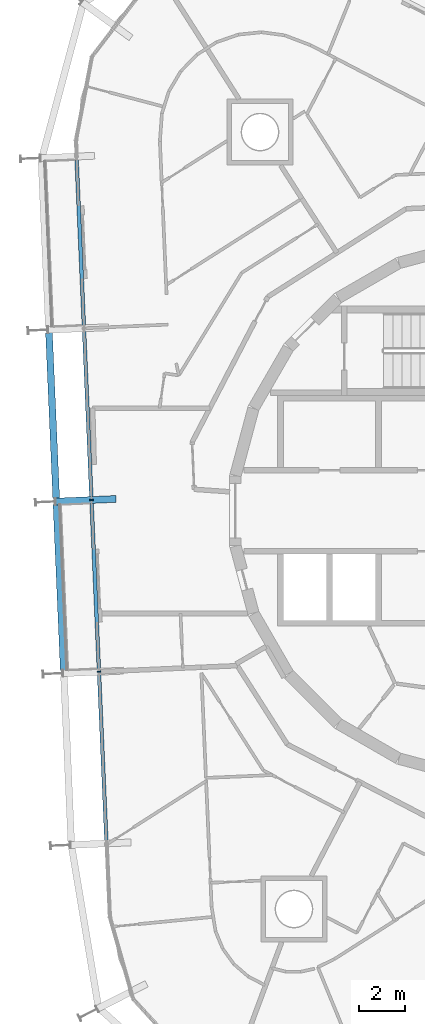
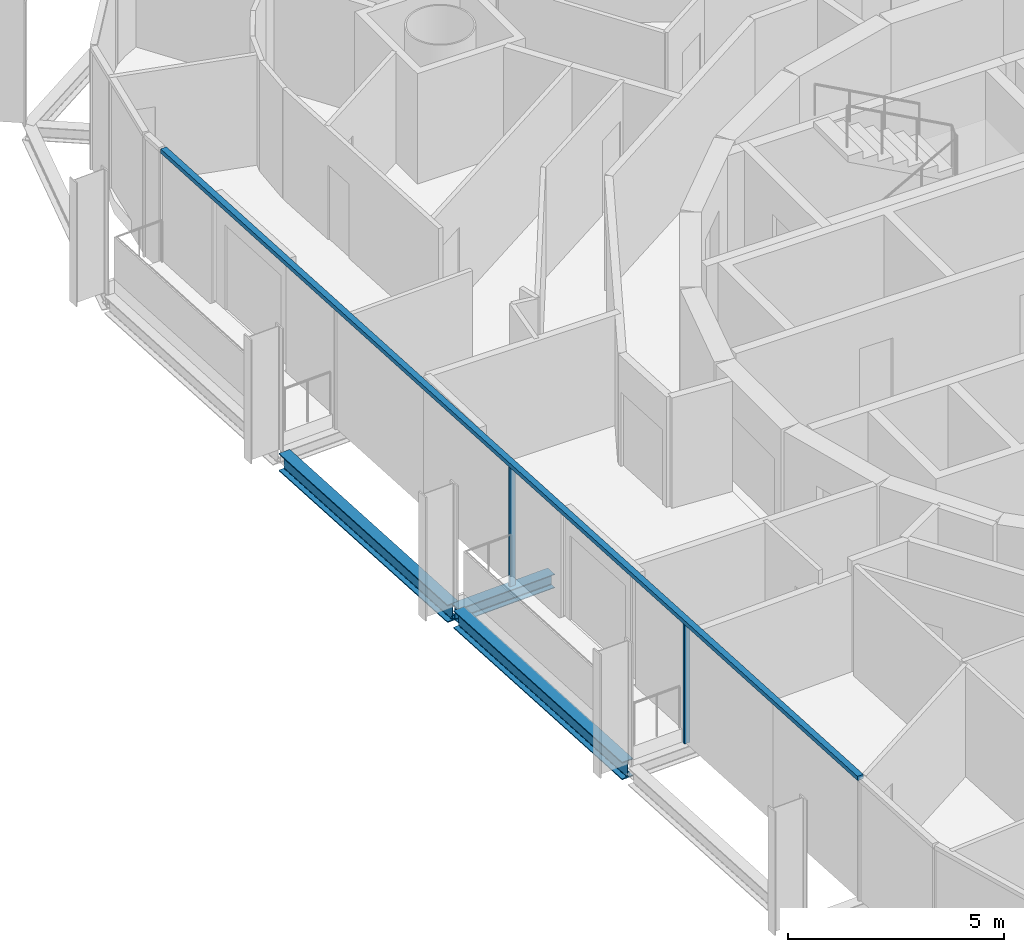
# One storey, part 4 of 18: 3 beams, 3 members, 1 element without a shape of its own.
"""IFC4 building model written with IfcOpenShell, lengths in metres."""

from ifc_helpers import new_model, si_unit, direction, frame, origin, origin_2d, place, context, subcontext, project, spatial, rectangle, i_section, extrude, material, layer, layer_set, material_profile, profile_set, type_object, element, aggregate, save


model = new_model("IFC4")

# Units and contexts
model_context = context("Model", 3, precision=1e-05, world=origin(), true_north=direction((0.0, 1.0)))
body_context = subcontext(model_context, "Body", "Model", "MODEL_VIEW")
ifc_project = project(units=[si_unit("LENGTHUNIT", "METRE"), si_unit("AREAUNIT", "SQUARE_METRE"), si_unit("VOLUMEUNIT", "CUBIC_METRE"), si_unit("PLANEANGLEUNIT", "RADIAN"), si_unit("MASSUNIT", "GRAM", prefix="KILO")], contexts=[model_context])

# Site, building, storey
site_placement = place(None, origin())
site = spatial("IfcSite", under=ifc_project, at=site_placement, CompositionType="ELEMENT")
building_placement = place(site_placement, origin())
building = spatial("IfcBuilding", under=site, at=building_placement, Name="Spindle Arch Residences", CompositionType="ELEMENT")
storey_placement = place(building_placement, frame((0.0, 0.0, 233.699951171875)))
storey = spatial("IfcBuildingStorey", under=building, at=storey_placement, Name="L59", CompositionType="ELEMENT", Elevation=233.699951171875)

# Curtain wall, members
ifc_material_1 = material(Name="Aluminium bronze unitised frame with tinted glass", Category="aluminium")
ifc_layer = layer(ifc_material_1, 0.159912109375)
ifc_layer_set = layer_set([ifc_layer], Name="CW-C typical residential unitised wall")
curtain_wall_type = type_object("IfcCurtainWallType", Name="CW-C typical residential unitised wall", PredefinedType="NOTDEFINED", material=ifc_layer_set)
curtain_wall_placement = place(storey_placement, origin())
curtain_wall = element("IfcCurtainWall", 1, at=curtain_wall_placement, inside=storey, type_object=curtain_wall_type, Name="CW-C L59 run 4", PredefinedType="NOTDEFINED")
ifc_material_2 = material(Name="Aluminium bronze anodised mullion", Category="aluminium")
ifc_material_profile_1 = material_profile(ifc_material_2, rectangle(XDim=0.159912109375, YDim=0.06005859375, at=origin_2d()), Name="MU 60x160")
ifc_profile_set_1 = profile_set([ifc_material_profile_1], Name="Aluminium bronze anodised mullion")
member_type_1 = type_object("IfcMemberType", Name="Bronze mullion 60x160", PredefinedType="MULLION", material=ifc_profile_set_1)
member_1_placement = place(storey_placement, frame((-17.9521484375, 0.472412109375, -0.3798828125), z_axis=(0.0, 0.0, 1.0), x_axis=(0.999048221582, 0.043619387365, 0.0)))
member_1 = element("IfcMember", 2, at=member_1_placement, type_object=member_type_1, Name="CW-C mullion 14", PredefinedType="MULLION", context=body_context, shape_type="SweptSolid", body=[
    extrude(rectangle(XDim=0.159912109375, YDim=0.06005859375, at=origin_2d()), origin(), (0.0, 0.0, 1.0), 3.3798828125),
])
member_2_placement = place(storey_placement, frame((-17.62353515625, -7.050537109375, -0.3798828125), z_axis=(0.0, 0.0, 1.0), x_axis=(0.999048221582, 0.043619387365, 0.0)))
member_2 = element("IfcMember", 3, at=member_2_placement, type_object=member_type_1, Name="CW-C mullion 15", PredefinedType="MULLION", context=body_context, shape_type="SweptSolid", body=[
    extrude(rectangle(XDim=0.159912109375, YDim=0.06005859375, at=origin_2d()), origin(), (0.0, 0.0, 1.0), 3.3798828125),
])
ifc_material_3 = material(Name="Aluminium bronze anodised transom", Category="aluminium")
ifc_material_profile_2 = material_profile(ifc_material_3, rectangle(XDim=0.159912109375, YDim=0.1201171875, at=origin_2d()), Name="TR 120x160")
ifc_profile_set_2 = profile_set([ifc_material_profile_2], Name="Aluminium bronze anodised transom")
member_type_2 = type_object("IfcMemberType", Name="Bronze transom 120x160", PredefinedType="USERDEFINED", material=ifc_profile_set_2)
member_3_placement = place(storey_placement, frame((-18.607666015625, 15.48828125, 3.06005859375), z_axis=(0.043621555075, -0.999048126935, 0.0), x_axis=(0.999048126935, 0.043621555075, 0.0)))
member_3 = element("IfcMember", 4, at=member_3_placement, type_object=member_type_2, Name="CW-C transom 00", ObjectType="TRANSOM", PredefinedType="USERDEFINED", context=body_context, shape_type="SweptSolid", body=[
    extrude(rectangle(XDim=0.159912109375, YDim=0.1201171875, at=origin_2d()), origin(), (0.0, 0.0, 1.0), 30.060302734375),
])
aggregate(curtain_wall, [member_3, member_1, member_2])

# Beams
ifc_material_4 = material(Name="Steel S460ML, intumescent coating R 120", Category="steel")
ifc_material_profile_3 = material_profile(ifc_material_4, i_section(OverallWidth=0.300048828125, OverallDepth=0.5, WebThickness=0.014404296875, FlangeThickness=0.028076171875, FilletRadius=0.027099609375, at=origin_2d()), Name="HEB 500")
ifc_profile_set_3 = profile_set([ifc_material_profile_3], Name="Steel S460ML, intumescent coating R 120")
beam_type_1 = type_object("IfcBeamType", Name="Exoskeleton edge beam HEB 500", PredefinedType="BEAM", material=ifc_profile_set_3)
for number, where, z_axis, x_axis, name in (
    (5, (-19.8134765625, 7.79833984375, -0.6298828125), (0.043655819138, -0.999046630271, 0.0), (0.999046630271, 0.043655819138, 0.0), "Exoskeleton edge beam 14"),
    (6, (-19.48486328125, 0.275390625, -0.6298828125), (0.043622301665, -0.999048094337, 0.0), (0.999048094337, 0.043622301665, 0.0), "Exoskeleton edge beam 15"),
):
    element("IfcBeam", number, at=place(storey_placement, frame(where, z_axis=z_axis, x_axis=x_axis)), inside=storey, type_object=beam_type_1, Name=name, PredefinedType="BEAM", context=body_context, shape_type="SweptSolid", body=[
        extrude(i_section(OverallWidth=0.300048828125, OverallDepth=0.5, WebThickness=0.014404296875, FlangeThickness=0.028076171875, FilletRadius=0.027099609375, at=origin_2d()), origin(), (0.0, 0.0, 1.0), 7.27001953125),
    ])
ifc_material_5 = material(Name="Steel S460ML, intumescent coating R 120", Category="steel")
ifc_material_profile_4 = material_profile(ifc_material_5, i_section(OverallWidth=0.300048828125, OverallDepth=0.389892578125, WebThickness=0.010986328125, FlangeThickness=0.01904296875, FilletRadius=0.027099609375, at=origin_2d()), Name="HEA 400")
ifc_profile_set_4 = profile_set([ifc_material_profile_4], Name="Steel S460ML, intumescent coating R 120")
beam_type_2 = type_object("IfcBeamType", Name="Floor outrigger HEA 400", PredefinedType="BEAM", material=ifc_profile_set_4)
beam_placement = place(storey_placement, frame((-19.5205078125, 0.40380859375, -0.574951171875), z_axis=(0.999046049411, 0.043669109869, 0.0), x_axis=(-0.043669109869, 0.999046049411, 0.0)))
element("IfcBeam", 7, at=beam_placement, inside=storey, type_object=beam_type_2, Name="Floor outrigger 15", PredefinedType="BEAM", context=body_context, shape_type="SweptSolid", body=[
    extrude(i_section(OverallWidth=0.300048828125, OverallDepth=0.389892578125, WebThickness=0.010986328125, FlangeThickness=0.01904296875, FilletRadius=0.027099609375, at=origin_2d()), origin(), (0.0, 0.0, 1.0), 2.64990234375),
])

save(model, "model.ifc")
